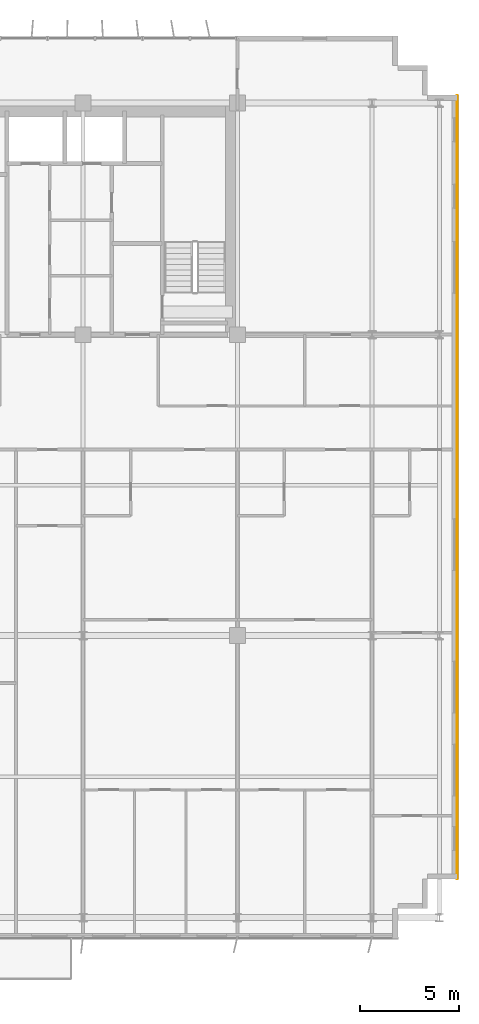
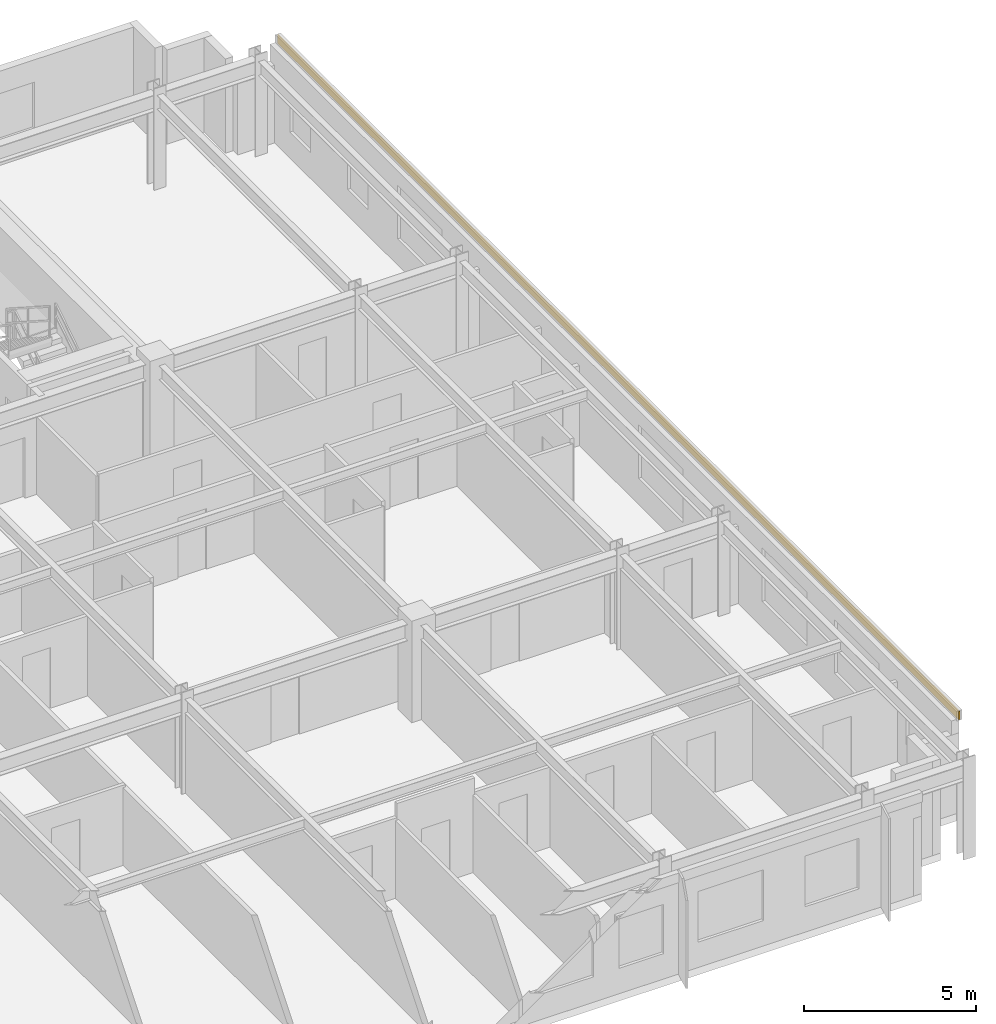
# One storey, part 22 of 22: 1 covering.
"""IFC4 building model written with IfcOpenShell, lengths in metres."""

from ifc_helpers import new_model, si_unit, direction, frame, origin, origin_2d, place, context, subcontext, project, spatial, rectangle, extrude, source, transform, mapped, material, layer, layer_set, type_object, element, save


model = new_model("IFC4")

# Units and contexts
model_context = context("Model", 3, precision=1e-05, world=origin(), true_north=direction((0.0, 1.0)))
body_context = subcontext(model_context, "Body", "Model", "MODEL_VIEW")
ifc_project = project(units=[si_unit("LENGTHUNIT", "METRE"), si_unit("AREAUNIT", "SQUARE_METRE"), si_unit("VOLUMEUNIT", "CUBIC_METRE"), si_unit("PLANEANGLEUNIT", "RADIAN"), si_unit("MASSUNIT", "GRAM", prefix="KILO")], contexts=[model_context])

# Site, building, storey
site_placement = place(None, origin())
site = spatial("IfcSite", under=ifc_project, at=site_placement, CompositionType="ELEMENT")
building_placement = place(site_placement, origin())
building = spatial("IfcBuilding", under=site, at=building_placement, Name="Trelvane Seafront Commons", CompositionType="ELEMENT")
storey_placement = place(building_placement, frame((0.0, 0.0, 96.10009765625)))
storey = spatial("IfcBuildingStorey", under=building, at=storey_placement, Name="L24", CompositionType="ELEMENT", Elevation=96.10009765625)

# Covering
ifc_material = material(Name="Anodised pale-silver aluminium", Category="aluminium")
ifc_layer = layer(ifc_material, 0.034912109375, Name="ARCH-COV-CLAD35")
ifc_layer_set = layer_set([ifc_layer], Name="Anodised pale-silver aluminium")
covering_type = type_object("IfcCoveringType", Name="ARCH-COV-CLAD35", PredefinedType="CLADDING", material=ifc_layer_set)
shared_shape = source(origin(), body_context, "Body", "SweptSolid", [
    extrude(rectangle(XDim=39.60009765625, YDim=0.034912109375, at=origin_2d()), origin(), (0.0, 0.0, 1.0), 0.300048828125),
])
covering_placement = place(storey_placement, frame((69.89990234375, 25.699951171875, 3.2998046875), z_axis=(0.0, 0.0, 1.0), x_axis=(0.0, -1.0, 0.0)))
element("IfcCovering", 1, at=covering_placement, inside=storey, type_object=covering_type, Name="CLD-L24-00104", PredefinedType="CLADDING", context=body_context, shape_type="MappedRepresentation", body=[
    mapped(shared_shape, transform((0.0, 0.0, 0.0), x_axis=(1.0, 0.0, 0.0), y_axis=(0.0, 1.0, 0.0), z_axis=(0.0, 0.0, 1.0), scale=1.0)),
])

save(model, "model.ifc")
